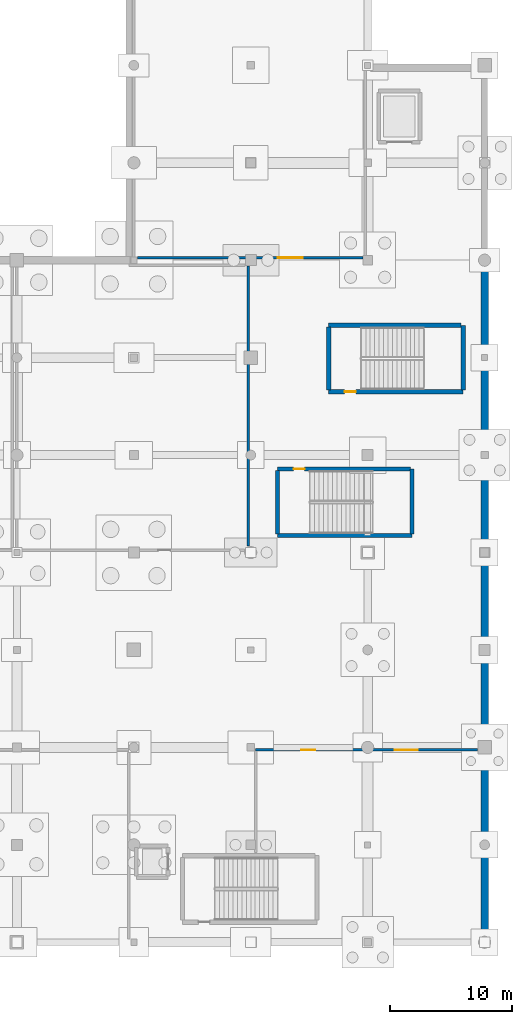
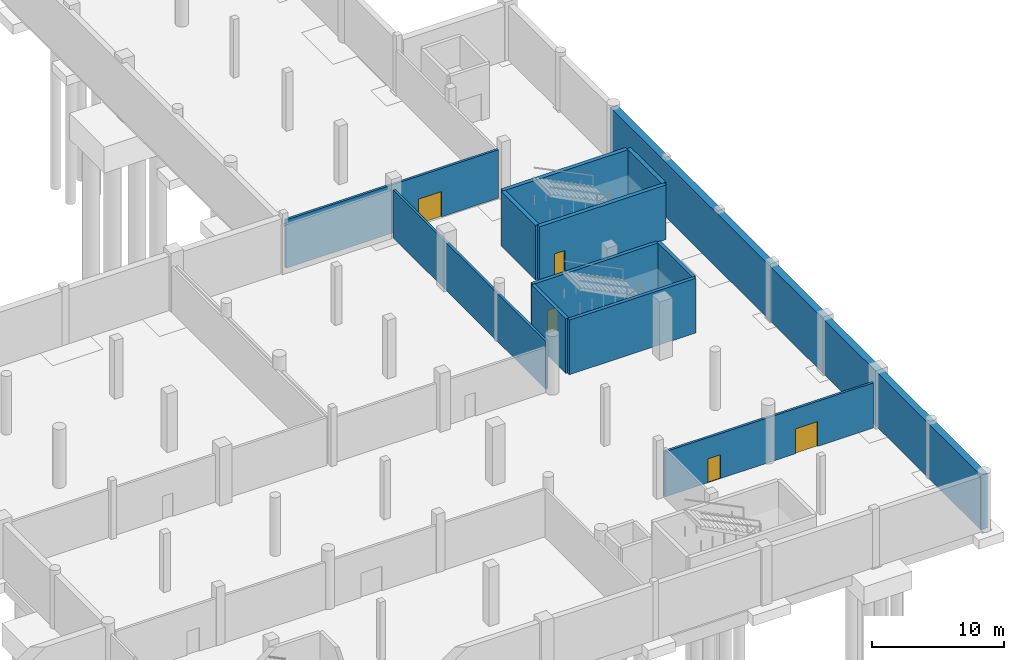
# One storey, part 28 of 44: 12 walls, 5 doors, 5 openings.
"""IFC4 building model written with IfcOpenShell, lengths in metres."""

from ifc_helpers import new_model, si_unit, direction, frame, frame_2d, origin, place, context, subcontext, project, spatial, rectangle, extrude, material, layer, layer_set, type_object, element, fill, save


model = new_model("IFC4")

# Units and contexts
model_context = context("Model", 3, precision=1e-05, world=origin(), true_north=direction((0.0, 1.0)))
body_context = subcontext(model_context, "Body", "Model", "MODEL_VIEW")
ifc_project = project(units=[si_unit("LENGTHUNIT", "METRE"), si_unit("AREAUNIT", "SQUARE_METRE"), si_unit("VOLUMEUNIT", "CUBIC_METRE"), si_unit("PLANEANGLEUNIT", "RADIAN"), si_unit("MASSUNIT", "GRAM", prefix="KILO")], contexts=[model_context])

# Site, building, storey
site_placement = place(None, origin())
site = spatial("IfcSite", under=ifc_project, at=site_placement, CompositionType="ELEMENT")
building_placement = place(site_placement, origin())
building = spatial("IfcBuilding", under=site, at=building_placement, Name="Danafjord Basin Convention Centre", CompositionType="ELEMENT")
storey_placement = place(building_placement, frame((0.0, 0.0, -5.39990234375)))
storey = spatial("IfcBuildingStorey", under=building, at=storey_placement, Name="B1", CompositionType="ELEMENT", Elevation=-5.39990234375)

# Walls
ifc_material_1 = material(Name="Concrete C40/50", Category="concrete")
ifc_layer_1 = layer(ifc_material_1, 0.300048828125)
ifc_layer_set_1 = layer_set([ifc_layer_1], Name="Concrete C40/50")
wall_type_1 = type_object("IfcWallType", Name="WALL-CW-CORE300", PredefinedType="SHEAR", material=ifc_layer_set_1)
wall_1_placement = place(storey_placement, frame((194.199951171875, 41.39990234375, 0.0), z_axis=(0.0, 0.0, 1.0), x_axis=(1.0, 0.0, 0.0)))
element("IfcWall", 1, at=wall_1_placement, inside=storey, type_object=wall_type_1, Name="Ballroom South-East Escape Stair core shear wall (south)", PredefinedType="SHEAR", context=body_context, shape_type="SweptSolid", body=[
    extrude(rectangle(XDim=11.0400390625, YDim=0.300048828125, at=frame_2d((5.52001953125, 0.0))), origin(), (0.0, 0.0, 1.0), 5.039794921875),
])
wall_2_placement = place(storey_placement, frame((205.239990234375, 41.534912109375, 0.0), z_axis=(0.0, 0.0, 1.0), x_axis=(0.0, 1.0, 0.0)))
element("IfcWall", 2, at=wall_2_placement, inside=storey, type_object=wall_type_1, Name="Ballroom South-East Escape Stair core shear wall (east)", PredefinedType="SHEAR", context=body_context, shape_type="SweptSolid", body=[
    extrude(rectangle(XDim=5.3251953125, YDim=0.300048828125, at=frame_2d((2.66259765625, 0.0))), origin(), (0.0, 0.0, 1.0), 5.039794921875),
])

# Wall, opening, door
wall_3_placement = place(storey_placement, frame((205.10498046875, 46.860107421875, 0.0), z_axis=(0.0, 0.0, 1.0), x_axis=(-1.0, 0.0, 0.0)))
wall_3 = element("IfcWall", 3, at=wall_3_placement, inside=storey, type_object=wall_type_1, Name="Ballroom South-East Escape Stair core shear wall (north)", PredefinedType="SHEAR", context=body_context, shape_type="SweptSolid", body=[
    extrude(rectangle(XDim=10.905029296875, YDim=0.300048828125, at=frame_2d((5.45263671875, 0.0))), origin(), (0.0, 0.0, 1.0), 5.039794921875),
])
opening_1_placement = place(wall_3_placement, frame((8.68408203125, 0.0, 0.0)))
opening_1 = element("IfcOpeningElement", 4, at=opening_1_placement, cuts=wall_3, Name="Opening FD-S01", PredefinedType="OPENING", context=body_context, shape_type="SweptSolid", body=[
    extrude(rectangle(XDim=0.909912109375, YDim=2.080078125, at=frame_2d((0.455078125, 1.0400390625))), frame((0.0, 0.159912109375, 0.0), z_axis=(0.0, -1.0, 0.0), x_axis=(1.0, 0.0, 0.0)), (0.0, 0.0, 1.0), 0.320068359375),
])
ifc_material_2 = material(Name="Powder-coated steel and Nordic oak", Category="steel")
door_type_1 = type_object("IfcDoorType", Name="DOOR-FD-S01", OperationType="NOTDEFINED", PredefinedType="DOOR", material=ifc_material_2)
door_1_placement = place(opening_1_placement, origin())
door_1 = element("IfcDoor", 5, at=door_1_placement, inside=storey, type_object=door_type_1, Name="Ballroom South-East Escape Stair B1 Fire Exit Door", OperationType="SINGLE_SWING_RIGHT", OverallHeight=2.080078125, OverallWidth=0.909912109375, PredefinedType="DOOR", context=body_context, shape_type="SweptSolid", body=[
    extrude(rectangle(XDim=0.909912109375, YDim=2.080078125, at=frame_2d((0.455078125, 1.0400390625))), frame((0.0, 0.02490234375, 0.0), z_axis=(0.0, -1.0, 0.0), x_axis=(1.0, 0.0, 0.0)), (0.0, 0.0, 1.0), 0.050048828125),
])
fill(opening_1, door_1)

# Wall
wall_4_placement = place(storey_placement, frame((194.199951171875, 46.72509765625, 0.0), z_axis=(0.0, 0.0, 1.0), x_axis=(0.0, -1.0, 0.0)))
element("IfcWall", 6, at=wall_4_placement, inside=storey, type_object=wall_type_1, Name="Ballroom South-East Escape Stair core shear wall (west)", PredefinedType="SHEAR", context=body_context, shape_type="SweptSolid", body=[
    extrude(rectangle(XDim=5.190185546875, YDim=0.300048828125, at=frame_2d((2.59521484375, 0.0))), origin(), (0.0, 0.0, 1.0), 5.039794921875),
])

# Wall, opening, door
ifc_material_3 = material(Name="Concrete C45/55", Category="concrete")
ifc_layer_2 = layer(ifc_material_3, 0.35009765625)
ifc_layer_set_2 = layer_set([ifc_layer_2], Name="Concrete C45/55")
wall_type_2 = type_object("IfcWallType", Name="WALL-CW-CORE350", PredefinedType="SHEAR", material=ifc_layer_set_2)
wall_5_placement = place(storey_placement, frame((198.39990234375, 53.199951171875, 0.0), z_axis=(0.0, 0.0, 1.0), x_axis=(1.0, 0.0, 0.0)))
wall_5 = element("IfcWall", 7, at=wall_5_placement, inside=storey, type_object=wall_type_2, Name="Ballroom East Core Stair 1 core shear wall (south)", PredefinedType="SHEAR", context=body_context, shape_type="SweptSolid", body=[
    extrude(rectangle(XDim=11.0400390625, YDim=0.35009765625, at=frame_2d((5.52001953125, 0.0))), origin(), (0.0, 0.0, 1.0), 5.039794921875),
])
opening_2_placement = place(wall_5_placement, frame((1.31201171875, 0.0, 0.0)))
opening_2 = element("IfcOpeningElement", 8, at=opening_2_placement, cuts=wall_5, Name="Opening FD-S01", PredefinedType="OPENING", context=body_context, shape_type="SweptSolid", body=[
    extrude(rectangle(XDim=0.909912109375, YDim=2.080078125, at=frame_2d((0.455078125, 1.0400390625))), frame((0.0, 0.18505859375, 0.0), z_axis=(0.0, -1.0, 0.0), x_axis=(1.0, 0.0, 0.0)), (0.0, 0.0, 1.0), 0.3701171875),
])
door_2_placement = place(opening_2_placement, origin())
door_2 = element("IfcDoor", 9, at=door_2_placement, inside=storey, type_object=door_type_1, Name="Ballroom East Core Stair 1 B1 Fire Exit Door", OperationType="SINGLE_SWING_RIGHT", OverallHeight=2.080078125, OverallWidth=0.909912109375, PredefinedType="DOOR", context=body_context, shape_type="SweptSolid", body=[
    extrude(rectangle(XDim=0.909912109375, YDim=2.080078125, at=frame_2d((0.455078125, 1.0400390625))), frame((0.0, 0.02490234375, 0.0), z_axis=(0.0, -1.0, 0.0), x_axis=(1.0, 0.0, 0.0)), (0.0, 0.0, 1.0), 0.050048828125),
])
fill(opening_2, door_2)

# Walls
wall_6_placement = place(storey_placement, frame((209.43994140625, 53.360107421875, 0.0), z_axis=(0.0, 0.0, 1.0), x_axis=(0.0, 1.0, 0.0)))
element("IfcWall", 10, at=wall_6_placement, inside=storey, type_object=wall_type_2, Name="Ballroom East Core Stair 1 core shear wall (east)", PredefinedType="SHEAR", context=body_context, shape_type="SweptSolid", body=[
    extrude(rectangle(XDim=5.2998046875, YDim=0.35009765625, at=frame_2d((2.64990234375, 0.0))), origin(), (0.0, 0.0, 1.0), 5.039794921875),
])
wall_7_placement = place(storey_placement, frame((209.280029296875, 58.659912109375, 0.0), z_axis=(0.0, 0.0, 1.0), x_axis=(-1.0, 0.0, 0.0)))
element("IfcWall", 11, at=wall_7_placement, inside=storey, type_object=wall_type_2, Name="Ballroom East Core Stair 1 core shear wall (north)", PredefinedType="SHEAR", context=body_context, shape_type="SweptSolid", body=[
    extrude(rectangle(XDim=10.880126953125, YDim=0.35009765625, at=frame_2d((5.43994140625, 0.0))), origin(), (0.0, 0.0, 1.0), 5.039794921875),
])
wall_8_placement = place(storey_placement, frame((198.39990234375, 58.5, 0.0), z_axis=(0.0, 0.0, 1.0), x_axis=(0.0, -1.0, 0.0)))
element("IfcWall", 12, at=wall_8_placement, inside=storey, type_object=wall_type_2, Name="Ballroom East Core Stair 1 core shear wall (west)", PredefinedType="SHEAR", context=body_context, shape_type="SweptSolid", body=[
    extrude(rectangle(XDim=5.139892578125, YDim=0.35009765625, at=frame_2d((2.56982421875, 0.0))), origin(), (0.0, 0.0, 1.0), 5.039794921875),
])
ifc_layer_3 = layer(ifc_material_1, 0.60009765625)
ifc_layer_set_3 = layer_set([ifc_layer_3], Name="Concrete C40/50")
wall_type_3 = type_object("IfcWallType", Name="WALL-EW-RET600", PredefinedType="SHEAR", material=ifc_layer_set_3)
wall_9_placement = place(storey_placement, frame((211.199951171875, 64.0, 0.0), z_axis=(0.0, 0.0, 1.0), x_axis=(0.0, -1.0, 0.0)))
element("IfcWall", 13, at=wall_9_placement, inside=storey, type_object=wall_type_3, Name="B1 waterproofed basement retaining wall 7", PredefinedType="SHEAR", context=body_context, shape_type="SweptSolid", body=[
    extrude(rectangle(XDim=56.0, YDim=0.60009765625, at=frame_2d((28.0, 0.0))), origin(), (0.0, 0.0, 1.0), 5.039794921875),
])

# Wall, openings, doors
ifc_material_4 = material(Name="Concrete C35/45", Category="concrete")
ifc_layer_4 = layer(ifc_material_4, 0.205078125)
ifc_layer_set_4 = layer_set([ifc_layer_4], Name="Concrete C35/45")
wall_type_4 = type_object("IfcWallType", Name="WALL-W-COMP205", PredefinedType="SOLIDWALL", material=ifc_layer_set_4)
wall_10_placement = place(storey_placement, frame((210.615966796875, 23.800048828125, 0.0), z_axis=(0.0, 0.0, 1.0), x_axis=(-1.0, 0.0, 0.0)))
wall_10 = element("IfcWall", 14, at=wall_10_placement, inside=storey, type_object=wall_type_4, Name="Pastry and Cold Store Preparation Kitchen north partition", PredefinedType="SOLIDWALL", context=body_context, shape_type="SweptSolid", body=[
    extrude(rectangle(XDim=18.216064453125, YDim=0.205078125, at=frame_2d((9.10791015625, 0.0))), origin(), (0.0, 0.0, 1.0), 4.159912109375),
])
opening_3_placement = place(wall_10_placement, frame((4.888916015625, 0.0, 0.0)))
opening_3 = element("IfcOpeningElement", 15, at=opening_3_placement, cuts=wall_10, Name="Opening FD-D05", PredefinedType="OPENING", context=body_context, shape_type="SweptSolid", body=[
    extrude(rectangle(XDim=1.919921875, YDim=2.300048828125, at=frame_2d((0.9599609375, 1.14990234375))), frame((0.0, 0.112548828125, 0.0), z_axis=(0.0, -1.0, 0.0), x_axis=(1.0, 0.0, 0.0)), (0.0, 0.0, 1.0), 0.22509765625),
])
opening_4_placement = place(wall_10_placement, frame((13.3349609375, 0.0, 0.0)))
opening_4 = element("IfcOpeningElement", 16, at=opening_4_placement, cuts=wall_10, Name="Opening FD-S08", PredefinedType="OPENING", context=body_context, shape_type="SweptSolid", body=[
    extrude(rectangle(XDim=1.1201171875, YDim=2.199951171875, at=frame_2d((0.56005859375, 1.10009765625))), frame((0.0, 0.112548828125, 0.0), z_axis=(0.0, -1.0, 0.0), x_axis=(1.0, 0.0, 0.0)), (0.0, 0.0, 1.0), 0.22509765625),
])
ifc_material_5 = material(Name="Brushed stainless steel and acoustic laminated glass", Category="steel")
door_type_2 = type_object("IfcDoorType", Name="DOOR-FD-D05", OperationType="DOUBLE_DOOR_SINGLE_SWING", PredefinedType="DOOR", material=ifc_material_5)
door_3_placement = place(opening_3_placement, origin())
door_3 = element("IfcDoor", 17, at=door_3_placement, inside=storey, type_object=door_type_2, Name="Pastry and Cold Store Preparation Kitchen Entrance Door", OperationType="DOUBLE_DOOR_SINGLE_SWING", OverallHeight=2.300048828125, OverallWidth=1.919921875, PredefinedType="DOOR", context=body_context, shape_type="SweptSolid", body=[
    extrude(rectangle(XDim=1.919921875, YDim=2.300048828125, at=frame_2d((0.9599609375, 1.14990234375))), frame((0.0, 0.02490234375, 0.0), z_axis=(0.0, -1.0, 0.0), x_axis=(1.0, 0.0, 0.0)), (0.0, 0.0, 1.0), 0.050048828125),
])
fill(opening_3, door_3)
door_type_3 = type_object("IfcDoorType", Name="DOOR-FD-S08", OperationType="NOTDEFINED", PredefinedType="DOOR", material=ifc_material_2)
door_4_placement = place(opening_4_placement, origin())
door_4 = element("IfcDoor", 18, at=door_4_placement, inside=storey, type_object=door_type_3, Name="Pastry and Cold Store Preparation Kitchen Secondary Exit Door", OperationType="SINGLE_SWING_LEFT", OverallHeight=2.199951171875, OverallWidth=1.1201171875, PredefinedType="DOOR", context=body_context, shape_type="SweptSolid", body=[
    extrude(rectangle(XDim=1.1201171875, YDim=2.199951171875, at=frame_2d((0.56005859375, 1.10009765625))), frame((0.0, 0.02490234375, 0.0), z_axis=(0.0, -1.0, 0.0), x_axis=(1.0, 0.0, 0.0)), (0.0, 0.0, 1.0), 0.050048828125),
])
fill(opening_4, door_4)

# Wall
wall_11_placement = place(storey_placement, frame((191.800048828125, 40.52001953125, 0.0), z_axis=(0.0, 0.0, 1.0), x_axis=(0.0, 1.0, 0.0)))
element("IfcWall", 19, at=wall_11_placement, inside=storey, type_object=wall_type_4, Name="Sprinkler Pump and Fire Water Plant east partition", PredefinedType="SOLIDWALL", context=body_context, shape_type="SweptSolid", body=[
    extrude(rectangle(XDim=23.0, YDim=0.205078125, at=frame_2d((11.5, 0.0))), origin(), (0.0, 0.0, 1.0), 4.409912109375),
])

# Wall, opening, door
wall_12_placement = place(storey_placement, frame((182.679931640625, 64.199951171875, 0.0), z_axis=(0.0, 0.0, 1.0), x_axis=(1.0, 0.0, 0.0)))
wall_12 = element("IfcWall", 20, at=wall_12_placement, inside=storey, type_object=wall_type_4, Name="Auditorium Hydraulics and Audio-Visual Crate Store south partition", PredefinedType="SOLIDWALL", context=body_context, shape_type="SweptSolid", body=[
    extrude(rectangle(XDim=18.52001953125, YDim=0.205078125, at=frame_2d((9.260009765625, 0.0))), origin(), (0.0, 0.0, 1.0), 4.4599609375),
])
opening_5_placement = place(wall_12_placement, frame((11.550048828125, 0.0, 0.0)))
opening_5 = element("IfcOpeningElement", 21, at=opening_5_placement, cuts=wall_12, Name="Opening FD-D06", PredefinedType="OPENING", context=body_context, shape_type="SweptSolid", body=[
    extrude(rectangle(XDim=2.02001953125, YDim=2.340087890625, at=frame_2d((1.010009765625, 1.169921875))), frame((0.0, 0.112548828125, 0.0), z_axis=(0.0, -1.0, 0.0), x_axis=(1.0, 0.0, 0.0)), (0.0, 0.0, 1.0), 0.22509765625),
])
door_type_4 = type_object("IfcDoorType", Name="DOOR-FD-D06", OperationType="DOUBLE_DOOR_SINGLE_SWING", PredefinedType="DOOR", material=ifc_material_5)
door_5_placement = place(opening_5_placement, origin())
door_5 = element("IfcDoor", 22, at=door_5_placement, inside=storey, type_object=door_type_4, Name="Auditorium Hydraulics and Audio-Visual Crate Store Entrance Door", OperationType="DOUBLE_DOOR_SINGLE_SWING", OverallHeight=2.340087890625, OverallWidth=2.02001953125, PredefinedType="DOOR", context=body_context, shape_type="SweptSolid", body=[
    extrude(rectangle(XDim=2.02001953125, YDim=2.340087890625, at=frame_2d((1.010009765625, 1.169921875))), frame((0.0, 0.02490234375, 0.0), z_axis=(0.0, -1.0, 0.0), x_axis=(1.0, 0.0, 0.0)), (0.0, 0.0, 1.0), 0.050048828125),
])
fill(opening_5, door_5)

save(model, "model.ifc")
